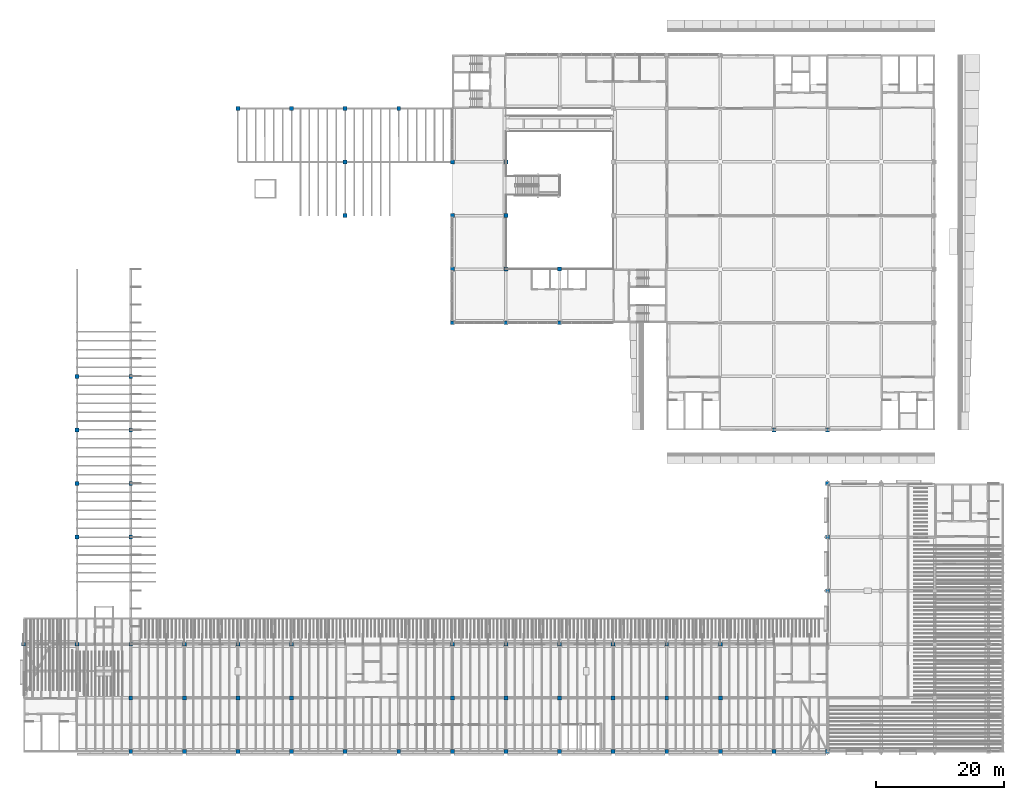
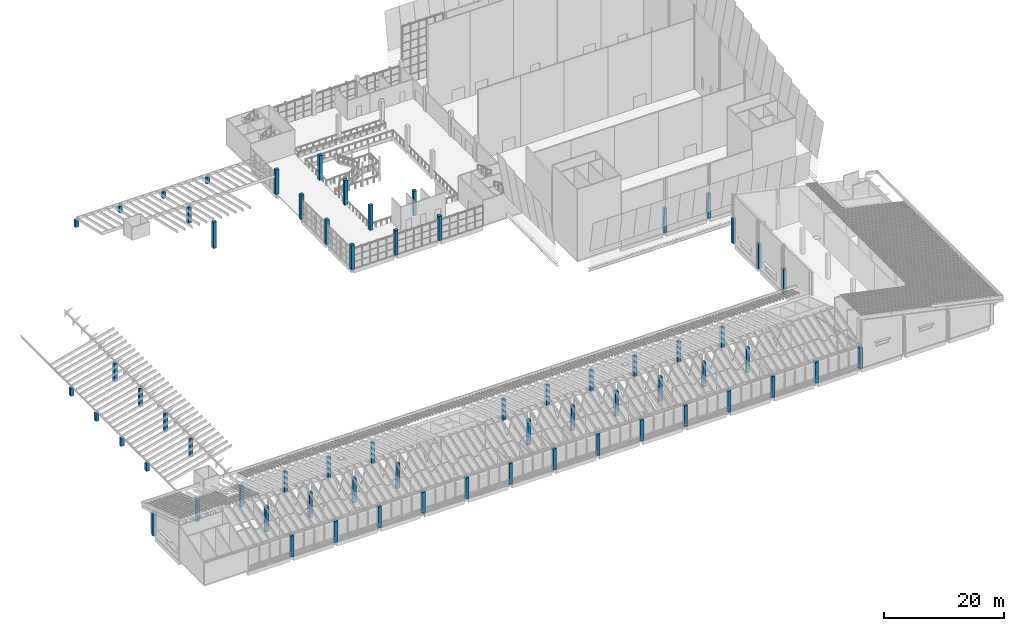
# One storey, part 1 of 59: 65 columns.
"""IFC4 building model written with IfcOpenShell, lengths in metres."""

from ifc_helpers import new_model, si_unit, direction, frame, origin, origin_2d, place, context, subcontext, project, spatial, rectangle, extrude, material, material_profile, profile_set, type_object, element, save


model = new_model("IFC4")

# Units and contexts
model_context = context("Model", 3, precision=1e-05, world=origin(), true_north=direction((0.0, 1.0)))
body_context = subcontext(model_context, "Body", "Model", "MODEL_VIEW")
ifc_project = project(units=[si_unit("LENGTHUNIT", "METRE"), si_unit("AREAUNIT", "SQUARE_METRE"), si_unit("VOLUMEUNIT", "CUBIC_METRE"), si_unit("PLANEANGLEUNIT", "RADIAN"), si_unit("MASSUNIT", "GRAM", prefix="KILO")], contexts=[model_context])

# Site, building, storey
site_placement = place(None, origin())
site = spatial("IfcSite", under=ifc_project, at=site_placement, CompositionType="ELEMENT")
building_placement = place(site_placement, origin())
building = spatial("IfcBuilding", under=site, at=building_placement, Name="Almond Square Museum", CompositionType="ELEMENT")
storey_placement = place(building_placement, frame((0.0, 0.0, 25.0)))
storey = spatial("IfcBuildingStorey", under=building, at=storey_placement, Name="L04", CompositionType="ELEMENT", Elevation=25.0)

# Columns
ifc_material = material(Name="Concrete C40/50", Category="concrete")
ifc_material_profile = material_profile(ifc_material, rectangle(XDim=0.60009765625, YDim=0.60009765625, at=origin_2d()))
ifc_profile_set = profile_set([ifc_material_profile], Name="Concrete C40/50")
column_type = type_object("IfcColumnType", Name="RC column 600 x 600 C40/50", PredefinedType="COLUMN", material=ifc_profile_set)
for number, where, z_axis, x_axis, name in (
    (1, (6.0, 16.800048828125, 0.0), (0.0, 0.0, 1.0), (1.0, 0.0, 0.0), "Column 2-C L04"),
    (2, (14.39990234375, 16.800048828125, 0.0), (0.0, 0.0, 1.0), (1.0, 0.0, 0.0), "Column 3-C L04"),
    (3, (22.800048828125, 0.0, 0.0), (0.0, 0.0, 1.0), (1.0, 0.0, 0.0), "Column 4-A L04"),
):
    element("IfcColumn", number, at=place(storey_placement, frame(where, z_axis=z_axis, x_axis=x_axis)), inside=storey, type_object=column_type, Name=name, PredefinedType="COLUMN", context=body_context, shape_type="SweptSolid", body=[
        extrude(rectangle(XDim=0.60009765625, YDim=0.60009765625, at=origin_2d()), origin(), (0.0, 0.0, 1.0), 4.3349609375),
    ])
column_1_placement = place(storey_placement, frame((22.800048828125, 8.39990234375, 0.0), z_axis=(0.0, 0.0, 1.0), x_axis=(1.0, 0.0, 0.0)))
element("IfcColumn", 4, at=column_1_placement, inside=storey, type_object=column_type, Name="Column 4-B L04", PredefinedType="COLUMN", context=body_context, shape_type="SweptSolid", body=[
    extrude(rectangle(XDim=0.60009765625, YDim=0.60009765625, at=origin_2d()), origin(), (0.0, 0.0, 1.0), 5.0),
])
for number, where, z_axis, x_axis, name in (
    (5, (22.800048828125, 16.800048828125, 0.0), (0.0, 0.0, 1.0), (1.0, 0.0, 0.0), "Column 4-C L04"),
    (6, (31.199951171875, 0.0, 0.0), (0.0, 0.0, 1.0), (1.0, 0.0, 0.0), "Column 5-A L04"),
):
    element("IfcColumn", number, at=place(storey_placement, frame(where, z_axis=z_axis, x_axis=x_axis)), inside=storey, type_object=column_type, Name=name, PredefinedType="COLUMN", context=body_context, shape_type="SweptSolid", body=[
        extrude(rectangle(XDim=0.60009765625, YDim=0.60009765625, at=origin_2d()), origin(), (0.0, 0.0, 1.0), 4.3349609375),
    ])
column_2_placement = place(storey_placement, frame((31.199951171875, 8.39990234375, 0.0), z_axis=(0.0, 0.0, 1.0), x_axis=(1.0, 0.0, 0.0)))
element("IfcColumn", 7, at=column_2_placement, inside=storey, type_object=column_type, Name="Column 5-B L04", PredefinedType="COLUMN", context=body_context, shape_type="SweptSolid", body=[
    extrude(rectangle(XDim=0.60009765625, YDim=0.60009765625, at=origin_2d()), origin(), (0.0, 0.0, 1.0), 5.0),
])
for number, where, z_axis, x_axis, name in (
    (8, (31.199951171875, 16.800048828125, 0.0), (0.0, 0.0, 1.0), (1.0, 0.0, 0.0), "Column 5-C L04"),
    (9, (39.60009765625, 0.0, 0.0), (0.0, 0.0, 1.0), (1.0, 0.0, 0.0), "Column 6-A L04"),
):
    element("IfcColumn", number, at=place(storey_placement, frame(where, z_axis=z_axis, x_axis=x_axis)), inside=storey, type_object=column_type, Name=name, PredefinedType="COLUMN", context=body_context, shape_type="SweptSolid", body=[
        extrude(rectangle(XDim=0.60009765625, YDim=0.60009765625, at=origin_2d()), origin(), (0.0, 0.0, 1.0), 4.3349609375),
    ])
column_3_placement = place(storey_placement, frame((39.60009765625, 8.39990234375, 0.0), z_axis=(0.0, 0.0, 1.0), x_axis=(1.0, 0.0, 0.0)))
element("IfcColumn", 10, at=column_3_placement, inside=storey, type_object=column_type, Name="Column 6-B L04", PredefinedType="COLUMN", context=body_context, shape_type="SweptSolid", body=[
    extrude(rectangle(XDim=0.60009765625, YDim=0.60009765625, at=origin_2d()), origin(), (0.0, 0.0, 1.0), 5.0),
])
for number, where, z_axis, x_axis, name in (
    (11, (39.60009765625, 16.800048828125, 0.0), (0.0, 0.0, 1.0), (1.0, 0.0, 0.0), "Column 6-C L04"),
    (12, (48.0, 0.0, 0.0), (0.0, 0.0, 1.0), (1.0, 0.0, 0.0), "Column 7-A L04"),
):
    element("IfcColumn", number, at=place(storey_placement, frame(where, z_axis=z_axis, x_axis=x_axis)), inside=storey, type_object=column_type, Name=name, PredefinedType="COLUMN", context=body_context, shape_type="SweptSolid", body=[
        extrude(rectangle(XDim=0.60009765625, YDim=0.60009765625, at=origin_2d()), origin(), (0.0, 0.0, 1.0), 4.3349609375),
    ])
column_4_placement = place(storey_placement, frame((48.0, 8.39990234375, 0.0), z_axis=(0.0, 0.0, 1.0), x_axis=(1.0, 0.0, 0.0)))
element("IfcColumn", 13, at=column_4_placement, inside=storey, type_object=column_type, Name="Column 7-B L04", PredefinedType="COLUMN", context=body_context, shape_type="SweptSolid", body=[
    extrude(rectangle(XDim=0.60009765625, YDim=0.60009765625, at=origin_2d()), origin(), (0.0, 0.0, 1.0), 5.0),
])
for number, where, z_axis, x_axis, name in (
    (14, (48.0, 16.800048828125, 0.0), (0.0, 0.0, 1.0), (1.0, 0.0, 0.0), "Column 7-C L04"),
    (15, (56.39990234375, 0.0, 0.0), (0.0, 0.0, 1.0), (1.0, 0.0, 0.0), "Column 8-A L04"),
    (16, (64.800048828125, 0.0, 0.0), (0.0, 0.0, 1.0), (1.0, 0.0, 0.0), "Column 9-A L04"),
    (17, (73.199951171875, 0.0, 0.0), (0.0, 0.0, 1.0), (1.0, 0.0, 0.0), "Column 10-A L04"),
):
    element("IfcColumn", number, at=place(storey_placement, frame(where, z_axis=z_axis, x_axis=x_axis)), inside=storey, type_object=column_type, Name=name, PredefinedType="COLUMN", context=body_context, shape_type="SweptSolid", body=[
        extrude(rectangle(XDim=0.60009765625, YDim=0.60009765625, at=origin_2d()), origin(), (0.0, 0.0, 1.0), 4.3349609375),
    ])
column_5_placement = place(storey_placement, frame((73.199951171875, 8.39990234375, 0.0), z_axis=(0.0, 0.0, 1.0), x_axis=(1.0, 0.0, 0.0)))
element("IfcColumn", 18, at=column_5_placement, inside=storey, type_object=column_type, Name="Column 10-B L04", PredefinedType="COLUMN", context=body_context, shape_type="SweptSolid", body=[
    extrude(rectangle(XDim=0.60009765625, YDim=0.60009765625, at=origin_2d()), origin(), (0.0, 0.0, 1.0), 5.0),
])
column_6_placement = place(storey_placement, frame((73.199951171875, 16.800048828125, 0.0), z_axis=(0.0, 0.0, 1.0), x_axis=(1.0, 0.0, 0.0)))
element("IfcColumn", 19, at=column_6_placement, inside=storey, type_object=column_type, Name="Column 10-C L04", PredefinedType="COLUMN", context=body_context, shape_type="SweptSolid", body=[
    extrude(rectangle(XDim=0.60009765625, YDim=0.60009765625, at=origin_2d()), origin(), (0.0, 0.0, 1.0), 4.3349609375),
])
for number, where, z_axis, x_axis, name in (
    (20, (73.199951171875, 67.199951171875, 0.0), (0.0, 0.0, 1.0), (1.0, 0.0, 0.0), "Column 10-I L04"),
    (21, (73.199951171875, 75.60009765625, 0.0), (0.0, 0.0, 1.0), (1.0, 0.0, 0.0), "Column 10-J L04"),
    (22, (73.199951171875, 84.0, 0.0), (0.0, 0.0, 1.0), (1.0, 0.0, 0.0), "Column 10-K L04"),
    (23, (73.199951171875, 92.39990234375, 0.0), (0.0, 0.0, 1.0), (1.0, 0.0, 0.0), "Column 10-L L04"),
):
    element("IfcColumn", number, at=place(storey_placement, frame(where, z_axis=z_axis, x_axis=x_axis)), inside=storey, type_object=column_type, Name=name, PredefinedType="COLUMN", context=body_context, shape_type="SweptSolid", body=[
        extrude(rectangle(XDim=0.60009765625, YDim=0.60009765625, at=origin_2d()), origin(), (0.0, 0.0, 1.0), 5.0),
    ])
column_7_placement = place(storey_placement, frame((81.60009765625, 0.0, 0.0), z_axis=(0.0, 0.0, 1.0), x_axis=(1.0, 0.0, 0.0)))
element("IfcColumn", 24, at=column_7_placement, inside=storey, type_object=column_type, Name="Column 11-A L04", PredefinedType="COLUMN", context=body_context, shape_type="SweptSolid", body=[
    extrude(rectangle(XDim=0.60009765625, YDim=0.60009765625, at=origin_2d()), origin(), (0.0, 0.0, 1.0), 4.3349609375),
])
column_8_placement = place(storey_placement, frame((81.60009765625, 8.39990234375, 0.0), z_axis=(0.0, 0.0, 1.0), x_axis=(1.0, 0.0, 0.0)))
element("IfcColumn", 25, at=column_8_placement, inside=storey, type_object=column_type, Name="Column 11-B L04", PredefinedType="COLUMN", context=body_context, shape_type="SweptSolid", body=[
    extrude(rectangle(XDim=0.60009765625, YDim=0.60009765625, at=origin_2d()), origin(), (0.0, 0.0, 1.0), 5.0),
])
column_9_placement = place(storey_placement, frame((81.60009765625, 16.800048828125, 0.0), z_axis=(0.0, 0.0, 1.0), x_axis=(1.0, 0.0, 0.0)))
element("IfcColumn", 26, at=column_9_placement, inside=storey, type_object=column_type, Name="Column 11-C L04", PredefinedType="COLUMN", context=body_context, shape_type="SweptSolid", body=[
    extrude(rectangle(XDim=0.60009765625, YDim=0.60009765625, at=origin_2d()), origin(), (0.0, 0.0, 1.0), 4.3349609375),
])
for number, where, z_axis, x_axis, name in (
    (27, (81.60009765625, 67.199951171875, 0.0), (0.0, 0.0, 1.0), (1.0, 0.0, 0.0), "Column 11-I L04"),
    (28, (81.60009765625, 75.60009765625, 0.0), (0.0, 0.0, 1.0), (1.0, 0.0, 0.0), "Column 11-J L04"),
    (29, (81.60009765625, 84.0, 0.0), (0.0, 0.0, 1.0), (1.0, 0.0, 0.0), "Column 11-K L04"),
    (30, (81.60009765625, 92.39990234375, 0.0), (0.0, 0.0, 1.0), (1.0, 0.0, 0.0), "Column 11-L L04"),
):
    element("IfcColumn", number, at=place(storey_placement, frame(where, z_axis=z_axis, x_axis=x_axis)), inside=storey, type_object=column_type, Name=name, PredefinedType="COLUMN", context=body_context, shape_type="SweptSolid", body=[
        extrude(rectangle(XDim=0.60009765625, YDim=0.60009765625, at=origin_2d()), origin(), (0.0, 0.0, 1.0), 5.0),
    ])
column_10_placement = place(storey_placement, frame((90.0, 0.0, 0.0), z_axis=(0.0, 0.0, 1.0), x_axis=(1.0, 0.0, 0.0)))
element("IfcColumn", 31, at=column_10_placement, inside=storey, type_object=column_type, Name="Column 12-A L04", PredefinedType="COLUMN", context=body_context, shape_type="SweptSolid", body=[
    extrude(rectangle(XDim=0.60009765625, YDim=0.60009765625, at=origin_2d()), origin(), (0.0, 0.0, 1.0), 4.3349609375),
])
column_11_placement = place(storey_placement, frame((90.0, 8.39990234375, 0.0), z_axis=(0.0, 0.0, 1.0), x_axis=(1.0, 0.0, 0.0)))
element("IfcColumn", 32, at=column_11_placement, inside=storey, type_object=column_type, Name="Column 12-B L04", PredefinedType="COLUMN", context=body_context, shape_type="SweptSolid", body=[
    extrude(rectangle(XDim=0.60009765625, YDim=0.60009765625, at=origin_2d()), origin(), (0.0, 0.0, 1.0), 5.0),
])
column_12_placement = place(storey_placement, frame((90.0, 16.800048828125, 0.0), z_axis=(0.0, 0.0, 1.0), x_axis=(1.0, 0.0, 0.0)))
element("IfcColumn", 33, at=column_12_placement, inside=storey, type_object=column_type, Name="Column 12-C L04", PredefinedType="COLUMN", context=body_context, shape_type="SweptSolid", body=[
    extrude(rectangle(XDim=0.60009765625, YDim=0.60009765625, at=origin_2d()), origin(), (0.0, 0.0, 1.0), 4.3349609375),
])
for number, where, z_axis, x_axis, name in (
    (34, (90.0, 67.199951171875, 0.0), (0.0, 0.0, 1.0), (1.0, 0.0, 0.0), "Column 12-I L04"),
    (35, (90.0, 75.60009765625, 0.0), (0.0, 0.0, 1.0), (1.0, 0.0, 0.0), "Column 12-J L04"),
):
    element("IfcColumn", number, at=place(storey_placement, frame(where, z_axis=z_axis, x_axis=x_axis)), inside=storey, type_object=column_type, Name=name, PredefinedType="COLUMN", context=body_context, shape_type="SweptSolid", body=[
        extrude(rectangle(XDim=0.60009765625, YDim=0.60009765625, at=origin_2d()), origin(), (0.0, 0.0, 1.0), 5.0),
    ])
column_13_placement = place(storey_placement, frame((98.39990234375, 0.0, 0.0), z_axis=(0.0, 0.0, 1.0), x_axis=(1.0, 0.0, 0.0)))
element("IfcColumn", 36, at=column_13_placement, inside=storey, type_object=column_type, Name="Column 13-A L04", PredefinedType="COLUMN", context=body_context, shape_type="SweptSolid", body=[
    extrude(rectangle(XDim=0.60009765625, YDim=0.60009765625, at=origin_2d()), origin(), (0.0, 0.0, 1.0), 4.3349609375),
])
column_14_placement = place(storey_placement, frame((98.39990234375, 8.39990234375, 0.0), z_axis=(0.0, 0.0, 1.0), x_axis=(1.0, 0.0, 0.0)))
element("IfcColumn", 37, at=column_14_placement, inside=storey, type_object=column_type, Name="Column 13-B L04", PredefinedType="COLUMN", context=body_context, shape_type="SweptSolid", body=[
    extrude(rectangle(XDim=0.60009765625, YDim=0.60009765625, at=origin_2d()), origin(), (0.0, 0.0, 1.0), 5.0),
])
for number, where, z_axis, x_axis, name in (
    (38, (98.39990234375, 16.800048828125, 0.0), (0.0, 0.0, 1.0), (1.0, 0.0, 0.0), "Column 13-C L04"),
    (39, (106.800048828125, 0.0, 0.0), (0.0, 0.0, 1.0), (1.0, 0.0, 0.0), "Column 14-A L04"),
):
    element("IfcColumn", number, at=place(storey_placement, frame(where, z_axis=z_axis, x_axis=x_axis)), inside=storey, type_object=column_type, Name=name, PredefinedType="COLUMN", context=body_context, shape_type="SweptSolid", body=[
        extrude(rectangle(XDim=0.60009765625, YDim=0.60009765625, at=origin_2d()), origin(), (0.0, 0.0, 1.0), 4.3349609375),
    ])
column_15_placement = place(storey_placement, frame((106.800048828125, 8.39990234375, 0.0), z_axis=(0.0, 0.0, 1.0), x_axis=(1.0, 0.0, 0.0)))
element("IfcColumn", 40, at=column_15_placement, inside=storey, type_object=column_type, Name="Column 14-B L04", PredefinedType="COLUMN", context=body_context, shape_type="SweptSolid", body=[
    extrude(rectangle(XDim=0.60009765625, YDim=0.60009765625, at=origin_2d()), origin(), (0.0, 0.0, 1.0), 5.0),
])
for number, where, z_axis, x_axis, name in (
    (41, (106.800048828125, 16.800048828125, 0.0), (0.0, 0.0, 1.0), (1.0, 0.0, 0.0), "Column 14-C L04"),
    (42, (115.199951171875, 0.0, 0.0), (0.0, 0.0, 1.0), (1.0, 0.0, 0.0), "Column 15-A L04"),
):
    element("IfcColumn", number, at=place(storey_placement, frame(where, z_axis=z_axis, x_axis=x_axis)), inside=storey, type_object=column_type, Name=name, PredefinedType="COLUMN", context=body_context, shape_type="SweptSolid", body=[
        extrude(rectangle(XDim=0.60009765625, YDim=0.60009765625, at=origin_2d()), origin(), (0.0, 0.0, 1.0), 4.3349609375),
    ])
column_16_placement = place(storey_placement, frame((115.199951171875, 8.39990234375, 0.0), z_axis=(0.0, 0.0, 1.0), x_axis=(1.0, 0.0, 0.0)))
element("IfcColumn", 43, at=column_16_placement, inside=storey, type_object=column_type, Name="Column 15-B L04", PredefinedType="COLUMN", context=body_context, shape_type="SweptSolid", body=[
    extrude(rectangle(XDim=0.60009765625, YDim=0.60009765625, at=origin_2d()), origin(), (0.0, 0.0, 1.0), 5.0),
])
for number, where, z_axis, x_axis, name in (
    (44, (115.199951171875, 16.800048828125, 0.0), (0.0, 0.0, 1.0), (1.0, 0.0, 0.0), "Column 15-C L04"),
    (45, (123.60009765625, 0.0, 0.0), (0.0, 0.0, 1.0), (1.0, 0.0, 0.0), "Column 16-A L04"),
):
    element("IfcColumn", number, at=place(storey_placement, frame(where, z_axis=z_axis, x_axis=x_axis)), inside=storey, type_object=column_type, Name=name, PredefinedType="COLUMN", context=body_context, shape_type="SweptSolid", body=[
        extrude(rectangle(XDim=0.60009765625, YDim=0.60009765625, at=origin_2d()), origin(), (0.0, 0.0, 1.0), 4.3349609375),
    ])
column_17_placement = place(storey_placement, frame((123.60009765625, 50.39990234375, 0.0), z_axis=(0.0, 0.0, 1.0), x_axis=(1.0, 0.0, 0.0)))
element("IfcColumn", 46, at=column_17_placement, inside=storey, type_object=column_type, Name="Column 16-G L04", PredefinedType="COLUMN", context=body_context, shape_type="SweptSolid", body=[
    extrude(rectangle(XDim=0.60009765625, YDim=0.60009765625, at=origin_2d()), origin(), (0.0, 0.0, 1.0), 5.0),
])
column_18_placement = place(storey_placement, frame((132.0, 0.0, 0.0), z_axis=(0.0, 0.0, 1.0), x_axis=(1.0, 0.0, 0.0)))
element("IfcColumn", 47, at=column_18_placement, inside=storey, type_object=column_type, Name="Column 17-A L04", PredefinedType="COLUMN", context=body_context, shape_type="SweptSolid", body=[
    extrude(rectangle(XDim=0.60009765625, YDim=0.60009765625, at=origin_2d()), origin(), (0.0, 0.0, 1.0), 4.3349609375),
])
for number, where, z_axis, x_axis, name in (
    (48, (132.0, 25.199951171875, 0.0), (0.0, 0.0, 1.0), (1.0, 0.0, 0.0), "Column 17-D L04"),
    (49, (132.0, 33.60009765625, 0.0), (0.0, 0.0, 1.0), (1.0, 0.0, 0.0), "Column 17-E L04"),
    (50, (132.0, 42.0, 0.0), (0.0, 0.0, 1.0), (1.0, 0.0, 0.0), "Column 17-F L04"),
    (51, (132.0, 50.39990234375, 0.0), (0.0, 0.0, 1.0), (1.0, 0.0, 0.0), "Column 17-G L04"),
):
    element("IfcColumn", number, at=place(storey_placement, frame(where, z_axis=z_axis, x_axis=x_axis)), inside=storey, type_object=column_type, Name=name, PredefinedType="COLUMN", context=body_context, shape_type="SweptSolid", body=[
        extrude(rectangle(XDim=0.60009765625, YDim=0.60009765625, at=origin_2d()), origin(), (0.0, 0.0, 1.0), 5.0),
    ])
for number, where, z_axis, x_axis, name in (
    (52, (14.39990234375, 33.60009765625, 0.0), (0.0, 0.0, 1.0), (1.0, 0.0, 0.0), "Column 3-E L04"),
    (53, (14.39990234375, 42.0, 0.0), (0.0, 0.0, 1.0), (1.0, 0.0, 0.0), "Column 3-F L04"),
    (54, (14.39990234375, 50.39990234375, 0.0), (0.0, 0.0, 1.0), (1.0, 0.0, 0.0), "Column 3-G L04"),
    (55, (14.39990234375, 58.800048828125, 0.0), (0.0, 0.0, 1.0), (1.0, 0.0, 0.0), "Column 3-H L04"),
):
    element("IfcColumn", number, at=place(storey_placement, frame(where, z_axis=z_axis, x_axis=x_axis)), inside=storey, type_object=column_type, Name=name, PredefinedType="COLUMN", context=body_context, shape_type="SweptSolid", body=[
        extrude(rectangle(XDim=0.60009765625, YDim=0.60009765625, at=origin_2d()), origin(), (0.0, 0.0, 1.0), 1.544921875),
    ])
for number, where, z_axis, x_axis, name in (
    (56, (22.800048828125, 33.60009765625, 0.0), (0.0, 0.0, 1.0), (1.0, 0.0, 0.0), "Column 4-E L04"),
    (57, (22.800048828125, 42.0, 0.0), (0.0, 0.0, 1.0), (1.0, 0.0, 0.0), "Column 4-F L04"),
    (58, (22.800048828125, 50.39990234375, 0.0), (0.0, 0.0, 1.0), (1.0, 0.0, 0.0), "Column 4-G L04"),
    (59, (22.800048828125, 58.800048828125, 0.0), (0.0, 0.0, 1.0), (1.0, 0.0, 0.0), "Column 4-H L04"),
):
    element("IfcColumn", number, at=place(storey_placement, frame(where, z_axis=z_axis, x_axis=x_axis)), inside=storey, type_object=column_type, Name=name, PredefinedType="COLUMN", context=body_context, shape_type="SweptSolid", body=[
        extrude(rectangle(XDim=0.60009765625, YDim=0.60009765625, at=origin_2d()), origin(), (0.0, 0.0, 1.0), 3.7451171875),
    ])
for number, where, z_axis, x_axis, name in (
    (60, (39.60009765625, 100.800048828125, 0.0), (0.0, 0.0, 1.0), (1.0, 0.0, 0.0), "Column 6-M L04"),
    (61, (48.0, 100.800048828125, 0.0), (0.0, 0.0, 1.0), (1.0, 0.0, 0.0), "Column 7-M L04"),
):
    element("IfcColumn", number, at=place(storey_placement, frame(where, z_axis=z_axis, x_axis=x_axis)), inside=storey, type_object=column_type, Name=name, PredefinedType="COLUMN", context=body_context, shape_type="SweptSolid", body=[
        extrude(rectangle(XDim=0.60009765625, YDim=0.60009765625, at=origin_2d()), origin(), (0.0, 0.0, 1.0), 1.35009765625),
    ])
column_19_placement = place(storey_placement, frame((56.39990234375, 84.0, 0.0), z_axis=(0.0, 0.0, 1.0), x_axis=(1.0, 0.0, 0.0)))
element("IfcColumn", 62, at=column_19_placement, inside=storey, type_object=column_type, Name="Column 8-K L04", PredefinedType="COLUMN", context=body_context, shape_type="SweptSolid", body=[
    extrude(rectangle(XDim=0.60009765625, YDim=0.60009765625, at=origin_2d()), origin(), (0.0, 0.0, 1.0), 5.35009765625),
])
column_20_placement = place(storey_placement, frame((56.39990234375, 92.39990234375, 0.0), z_axis=(0.0, 0.0, 1.0), x_axis=(1.0, 0.0, 0.0)))
element("IfcColumn", 63, at=column_20_placement, inside=storey, type_object=column_type, Name="Column 8-L L04", PredefinedType="COLUMN", context=body_context, shape_type="SweptSolid", body=[
    extrude(rectangle(XDim=0.60009765625, YDim=0.60009765625, at=origin_2d()), origin(), (0.0, 0.0, 1.0), 3.35009765625),
])
for number, where, z_axis, x_axis, name in (
    (64, (56.39990234375, 100.800048828125, 0.0), (0.0, 0.0, 1.0), (1.0, 0.0, 0.0), "Column 8-M L04"),
    (65, (64.800048828125, 100.800048828125, 0.0), (0.0, 0.0, 1.0), (1.0, 0.0, 0.0), "Column 9-M L04"),
):
    element("IfcColumn", number, at=place(storey_placement, frame(where, z_axis=z_axis, x_axis=x_axis)), inside=storey, type_object=column_type, Name=name, PredefinedType="COLUMN", context=body_context, shape_type="SweptSolid", body=[
        extrude(rectangle(XDim=0.60009765625, YDim=0.60009765625, at=origin_2d()), origin(), (0.0, 0.0, 1.0), 1.35009765625),
    ])

save(model, "model.ifc")
